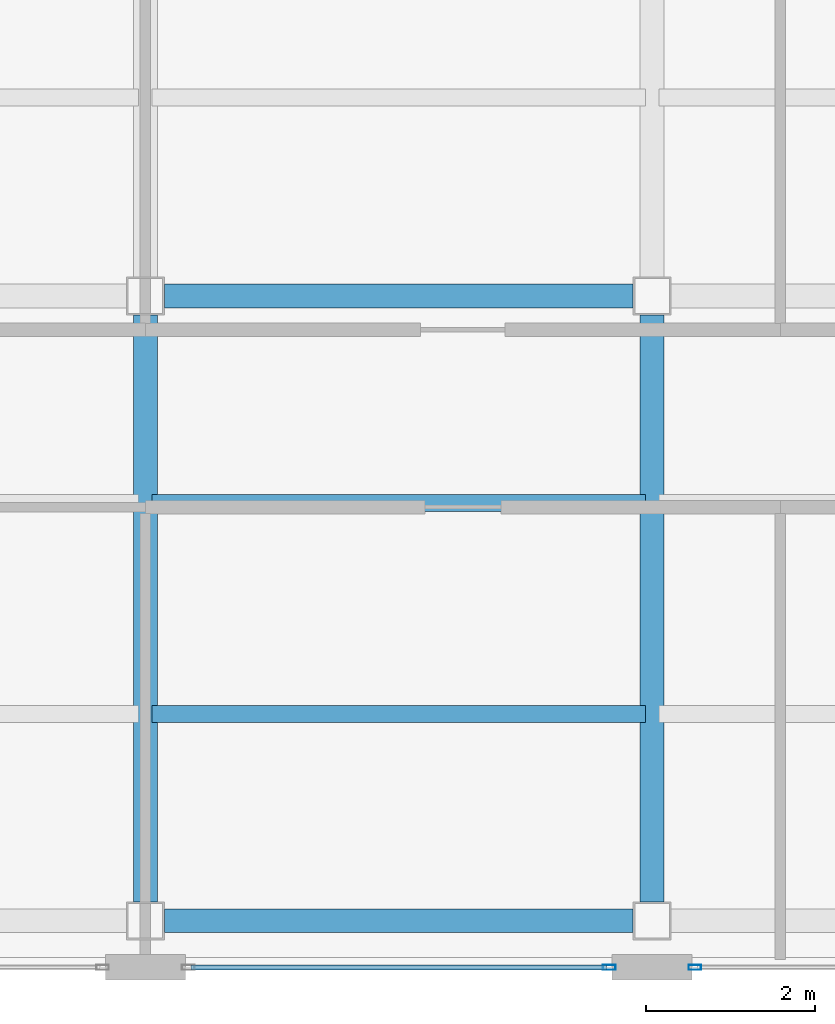
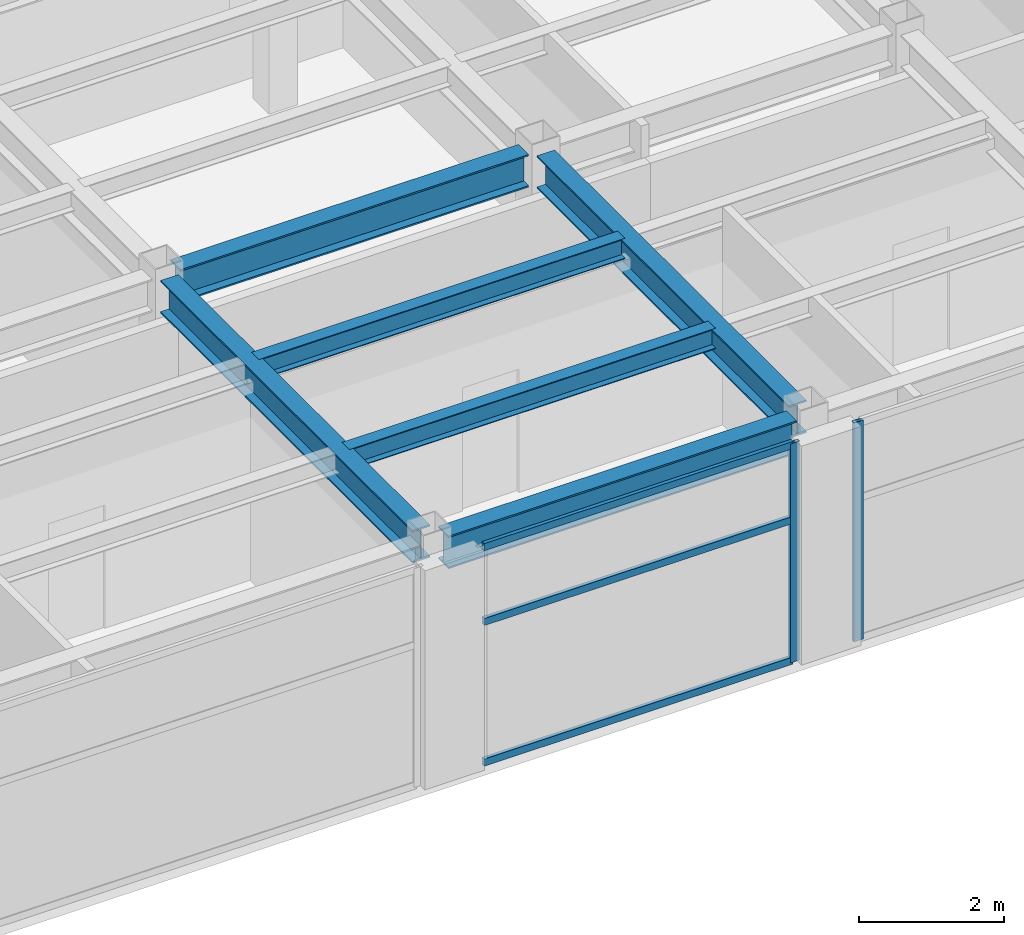
# One storey, part 5 of 16: 6 beams, 5 members, 2 elements without a shape of their own.
"""IFC4 building model written with IfcOpenShell, lengths in metres."""

from ifc_helpers import new_model, si_unit, direction, frame, origin, origin_2d, place, context, subcontext, project, spatial, hollow_rectangle, i_section, extrude, material, layer, layer_set, material_profile, profile_set, type_object, element, aggregate, save


model = new_model("IFC4")

# Units and contexts
model_context = context("Model", 3, precision=1e-05, world=origin(), true_north=direction((0.0, 1.0)))
body_context = subcontext(model_context, "Body", "Model", "MODEL_VIEW")
ifc_project = project(units=[si_unit("LENGTHUNIT", "METRE"), si_unit("AREAUNIT", "SQUARE_METRE"), si_unit("VOLUMEUNIT", "CUBIC_METRE"), si_unit("PLANEANGLEUNIT", "RADIAN"), si_unit("MASSUNIT", "GRAM", prefix="KILO")], contexts=[model_context])

# Site, building, storey
site_placement = place(None, origin())
site = spatial("IfcSite", under=ifc_project, at=site_placement, CompositionType="ELEMENT")
building_placement = place(site_placement, origin())
building = spatial("IfcBuilding", under=site, at=building_placement, Name="Mawjaban Terraces University", CompositionType="ELEMENT")
storey_placement = place(building_placement, frame((0.0, 0.0, 230.39990234375)))
storey = spatial("IfcBuildingStorey", under=building, at=storey_placement, Name="L56", CompositionType="ELEMENT", Elevation=230.39990234375)

# Beams
ifc_material_1 = material(Name="Steel ASTM A572 Grade 50", Category="steel")
ifc_material_profile_1 = material_profile(ifc_material_1, i_section(OverallWidth=0.281005859375, OverallDepth=0.551025390625, WebThickness=0.01513671875, FlangeThickness=0.02587890625, at=origin_2d()), Name="W530X182")
ifc_profile_set_1 = profile_set([ifc_material_profile_1], Name="Steel ASTM A572 Grade 50")
beam_type_1 = type_object("IfcBeamType", Name="Beam_B_W530X182", PredefinedType="BEAM", material=ifc_profile_set_1)
for number, where, z_axis, x_axis, name in (
    (1, (46.22509765625, 0.550048828125, 3.4150390625), (1.0, 0.0, 0.0), (0.0, 1.0, 0.0), "L56 Beam BM-L56-EW-02"),
    (2, (46.22509765625, 7.949951171875, 3.4150390625), (1.0, 0.0, 0.0), (0.0, 1.0, 0.0), "L56 Beam BM-L56-EW-05"),
):
    element("IfcBeam", number, at=place(storey_placement, frame(where, z_axis=z_axis, x_axis=x_axis)), inside=storey, type_object=beam_type_1, Name=name, PredefinedType="BEAM", context=body_context, shape_type="SweptSolid", body=[
        extrude(i_section(OverallWidth=0.281005859375, OverallDepth=0.551025390625, WebThickness=0.01513671875, FlangeThickness=0.02587890625, at=origin_2d()), origin(), (0.0, 0.0, 1.0), 5.5498046875),
    ])
for number, where, z_axis, x_axis, name in (
    (3, (46.0, 0.77490234375, 3.4150390625), (0.0, 1.0, 0.0), (-1.0, 0.0, 0.0), "L56 Beam BM-L56-NS-10"),
    (4, (52.0, 0.77490234375, 3.4150390625), (0.0, 1.0, 0.0), (-1.0, 0.0, 0.0), "L56 Beam BM-L56-NS-12"),
):
    element("IfcBeam", number, at=place(storey_placement, frame(where, z_axis=z_axis, x_axis=x_axis)), inside=storey, type_object=beam_type_1, Name=name, PredefinedType="BEAM", context=body_context, shape_type="SweptSolid", body=[
        extrude(i_section(OverallWidth=0.281005859375, OverallDepth=0.551025390625, WebThickness=0.01513671875, FlangeThickness=0.02587890625, at=origin_2d()), origin(), (0.0, 0.0, 1.0), 6.9501953125),
    ])
ifc_material_profile_2 = material_profile(ifc_material_1, i_section(OverallWidth=0.202880859375, OverallDepth=0.346923828125, WebThickness=0.0078125, FlangeThickness=0.013427734375, at=origin_2d()), Name="W360X64")
ifc_profile_set_2 = profile_set([ifc_material_profile_2], Name="Steel ASTM A572 Grade 50")
beam_type_2 = type_object("IfcBeamType", Name="Beam_J_W360X64", PredefinedType="JOIST", material=ifc_profile_set_2)
for number, where, z_axis, x_axis, name in (
    (5, (46.080078125, 3.0, 3.51708984375), (1.0, 0.0, 0.0), (0.0, 1.0, 0.0), "L56 Composite Joist JST-L56-02"),
    (6, (46.080078125, 5.5, 3.51708984375), (1.0, 0.0, 0.0), (0.0, 1.0, 0.0), "L56 Composite Joist JST-L56-05"),
):
    element("IfcBeam", number, at=place(storey_placement, frame(where, z_axis=z_axis, x_axis=x_axis)), inside=storey, type_object=beam_type_2, Name=name, PredefinedType="JOIST", context=body_context, shape_type="SweptSolid", body=[
        extrude(i_section(OverallWidth=0.202880859375, OverallDepth=0.346923828125, WebThickness=0.0078125, FlangeThickness=0.013427734375, at=origin_2d()), origin(), (0.0, 0.0, 1.0), 5.83984375),
    ])

# Curtain wall, member
ifc_material_2 = material(Name="Anodised aluminium 6063-T6 and solar-control low-E glass", Category="aluminium")
ifc_layer = layer(ifc_material_2, 0.159912109375)
ifc_layer_set = layer_set([ifc_layer], Name="Anodised aluminium 6063-T6 and solar-control low-E glass")
curtain_wall_type = type_object("IfcCurtainWallType", Name="CWSystem_03_NorthWing", PredefinedType="NOTDEFINED", material=ifc_layer_set)
curtain_wall_1_placement = place(storey_placement, origin())
curtain_wall_1 = element("IfcCurtainWall", 7, at=curtain_wall_1_placement, inside=storey, type_object=curtain_wall_type, Name="L56 Curtain Wall CW-03 Run 1.3", PredefinedType="NOTDEFINED")
ifc_material_3 = material(Name="Anodised aluminium 6063-T6", Category="aluminium")
ifc_material_profile_3 = material_profile(ifc_material_3, hollow_rectangle(XDim=0.06005859375, YDim=0.14990234375, WallThickness=0.00390625, at=origin_2d()), Name="ALU150X60X4")
ifc_profile_set_3 = profile_set([ifc_material_profile_3], Name="Anodised aluminium 6063-T6")
member_type_1 = type_object("IfcMemberType", Name="Mullion_CW-03", PredefinedType="MULLION", material=ifc_profile_set_3)
member_1_placement = place(storey_placement, frame((51.492431640625, 0.0, 0.0), z_axis=(0.0, 0.0, 1.0), x_axis=(0.0, 1.0, 0.0)))
member_1 = element("IfcMember", 8, at=member_1_placement, type_object=member_type_1, Name="CW-03 mullion 2", PredefinedType="MULLION", context=body_context, shape_type="SweptSolid", body=[
    extrude(hollow_rectangle(XDim=0.06005859375, YDim=0.14990234375, WallThickness=0.00390625, at=origin_2d()), origin(), (0.0, 0.0, 1.0), 3.690185546875),
])

curtain_wall_2_placement = place(storey_placement, origin())
curtain_wall_2 = element("IfcCurtainWall", 9, at=curtain_wall_2_placement, inside=storey, type_object=curtain_wall_type, Name="L56 Curtain Wall CW-03 Run 1.4", PredefinedType="NOTDEFINED")
member_2_placement = place(storey_placement, frame((52.507568359375, 0.0, 0.0), z_axis=(0.0, 0.0, 1.0), x_axis=(0.0, 1.0, 0.0)))
member_2 = element("IfcMember", 10, at=member_2_placement, type_object=member_type_1, Name="CW-03 mullion 1", PredefinedType="MULLION", context=body_context, shape_type="SweptSolid", body=[
    extrude(hollow_rectangle(XDim=0.06005859375, YDim=0.14990234375, WallThickness=0.00390625, at=origin_2d()), origin(), (0.0, 0.0, 1.0), 3.690185546875),
])
aggregate(curtain_wall_2, [member_2])

# Member
ifc_material_profile_4 = material_profile(ifc_material_3, hollow_rectangle(XDim=0.06005859375, YDim=0.1201171875, WallThickness=0.00341796875, at=origin_2d()), Name="ALU120X60X3.5")
ifc_profile_set_4 = profile_set([ifc_material_profile_4], Name="Anodised aluminium 6063-T6")
member_type_2 = type_object("IfcMemberType", Name="Transom_CW-03", PredefinedType="NOTDEFINED", material=ifc_profile_set_4)
member_3_placement = place(storey_placement, frame((46.5400390625, 0.0, 0.030029296875), z_axis=(1.0, 0.0, 0.0), x_axis=(0.0, 1.0, 0.0)))
member_3 = element("IfcMember", 11, at=member_3_placement, type_object=member_type_2, Name="CW-03 transom 1.1", ObjectType="TRANSOM", PredefinedType="USERDEFINED", context=body_context, shape_type="SweptSolid", body=[
    extrude(hollow_rectangle(XDim=0.06005859375, YDim=0.1201171875, WallThickness=0.00341796875, at=origin_2d()), origin(), (0.0, 0.0, 1.0), 4.919921875),
])

member_4_placement = place(storey_placement, frame((46.5400390625, 0.0, 2.398193359375), z_axis=(1.0, 0.0, 0.0), x_axis=(0.0, 1.0, 0.0)))
member_4 = element("IfcMember", 12, at=member_4_placement, type_object=member_type_2, Name="CW-03 transom 1.2", ObjectType="TRANSOM", PredefinedType="USERDEFINED", context=body_context, shape_type="SweptSolid", body=[
    extrude(hollow_rectangle(XDim=0.06005859375, YDim=0.1201171875, WallThickness=0.00341796875, at=origin_2d()), origin(), (0.0, 0.0, 1.0), 4.919921875),
])

member_5_placement = place(storey_placement, frame((46.5400390625, 0.0, 3.66015625), z_axis=(1.0, 0.0, 0.0), x_axis=(0.0, 1.0, 0.0)))
member_5 = element("IfcMember", 13, at=member_5_placement, type_object=member_type_2, Name="CW-03 transom 1.3", ObjectType="TRANSOM", PredefinedType="USERDEFINED", context=body_context, shape_type="SweptSolid", body=[
    extrude(hollow_rectangle(XDim=0.06005859375, YDim=0.1201171875, WallThickness=0.00341796875, at=origin_2d()), origin(), (0.0, 0.0, 1.0), 4.919921875),
])

aggregate(curtain_wall_1, [member_1, member_3, member_4, member_5])

save(model, "model.ifc")
